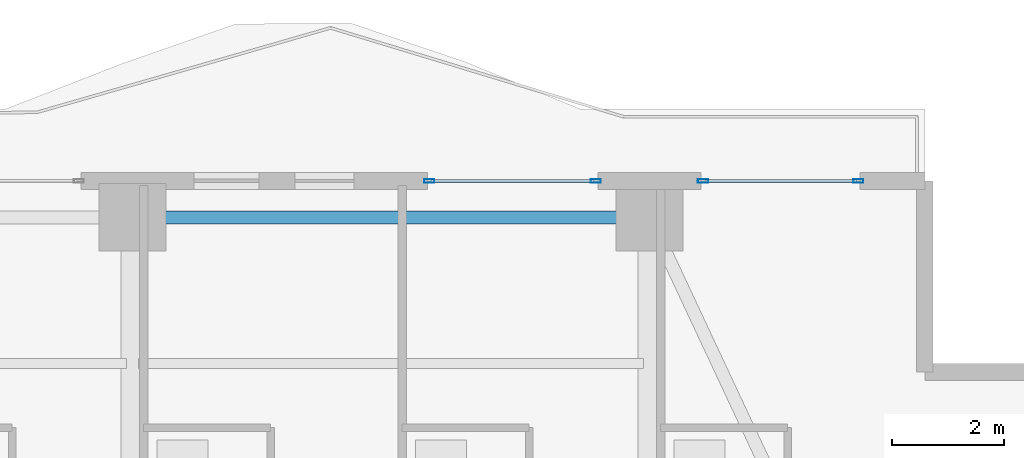
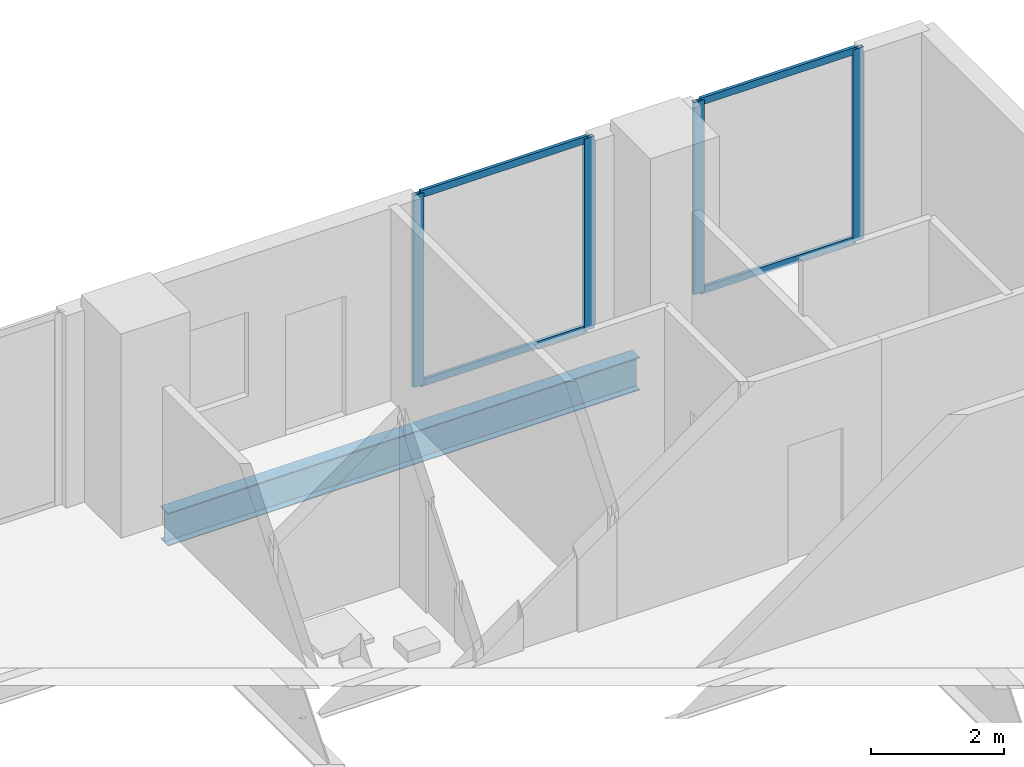
# One storey, part 22 of 32: 8 members, 1 beam, 2 elements without a shape of their own.
"""IFC4 building model written with IfcOpenShell, lengths in metres."""

import ifcopenshell
import ifcopenshell.guid

model = None  # the IFC model being written
_history = None  # IfcOwnerHistory: only IFC2X3 demands one
_inside = {}  # id of a spatial element -> (the spatial element, [elements in it])
_under = {}  # id of a project, library or spatial element -> (it, [spatial elements below it])
_declared = {}  # id of a project -> (the project, [libraries it declares])
_typed = {}  # id of a type object -> (the type object, [elements of that type])
_made_of = {}  # id of a material, layer set ... -> (it, [elements and type objects made of it])


def new_model(schema):
    """Start an empty IFC model of exactly this schema.

    Asked for "IFC4X3", IfcOpenShell would pick the latest addendum, in which some entities
    have other attributes; the version numbers below select the first issue.
    IFC2X3 requires an IfcOwnerHistory on every rooted entity: one is made here for all.
    """
    global model, _history
    if schema == "IFC4X3":
        model = ifcopenshell.file(schema_version=(4, 3, 0, 0))
    else:
        model = ifcopenshell.file(schema=schema)
    _inside.clear()
    _under.clear()
    _declared.clear()
    _typed.clear()
    _made_of.clear()
    _history = None
    if model.schema == "IFC2X3":
        org = make("IfcOrganization", Name="unknown")
        user = make(
            "IfcPersonAndOrganization",
            ThePerson=make("IfcPerson", FamilyName="unknown"),
            TheOrganization=org,
        )
        app = make(
            "IfcApplication",
            ApplicationDeveloper=org,
            Version="unknown",
            ApplicationFullName="unknown",
            ApplicationIdentifier="unknown",
        )
        _history = make(
            "IfcOwnerHistory",
            OwningUser=user,
            OwningApplication=app,
            ChangeAction="ADDED",
            CreationDate=0,
        )
    return model


def make(cls, **values):
    """One entity of the class cls with the attributes given. An attribute that is None is left unset."""
    return model.create_entity(
        cls, **{name: value for name, value in values.items() if value is not None}
    )


def rooted(cls, **values):
    """An entity with a GlobalId (a new one), such as an element, a storey or a relation."""
    return make(cls, GlobalId=ifcopenshell.guid.new(), OwnerHistory=_history, **values)


def si_unit(unit_type, name, prefix=None):
    """IfcSIUnit, for example si_unit("LENGTHUNIT", "METRE", prefix="MILLI")."""
    return make("IfcSIUnit", UnitType=unit_type, Prefix=prefix, Name=name)


def assignment(units):
    """IfcUnitAssignment: the units of a project."""
    return None if units is None else make("IfcUnitAssignment", Units=units)


def point(xyz):
    """IfcCartesianPoint."""
    return None if xyz is None else make("IfcCartesianPoint", Coordinates=xyz)


def direction(xyz):
    """IfcDirection."""
    return None if xyz is None else make("IfcDirection", DirectionRatios=xyz)


def frame(location, z_axis=None, x_axis=None):
    """IfcAxis2Placement3D, a coordinate frame: its origin and axes. An axis left out is left unset."""
    return make(
        "IfcAxis2Placement3D",
        Location=point(location),
        Axis=direction(z_axis),
        RefDirection=direction(x_axis),
    )


def frame_2d(location, x_axis=None):
    """IfcAxis2Placement2D, a coordinate frame in the plane: its origin and x axis."""
    return make(
        "IfcAxis2Placement2D", Location=point(location), RefDirection=direction(x_axis)
    )


def origin():
    """The frame at (0, 0, 0) with its axes left unset."""
    return frame((0.0, 0.0, 0.0))


def origin_2d():
    """The frame at (0, 0) in the plane with its x axis left unset."""
    return frame_2d((0.0, 0.0))


def place(relative_to, where):
    """IfcLocalPlacement: puts the frame where relative to a parent placement (None: the world)."""
    return make(
        "IfcLocalPlacement", PlacementRelTo=relative_to, RelativePlacement=where
    )


def context(
    kind, dimensions, precision=None, world=None, true_north=None, identifier=None
):
    """IfcGeometricRepresentationContext, for example the 3D "Model" context."""
    return make(
        "IfcGeometricRepresentationContext",
        ContextIdentifier=identifier,
        ContextType=kind,
        CoordinateSpaceDimension=dimensions,
        Precision=precision,
        WorldCoordinateSystem=world,
        TrueNorth=true_north,
    )


def subcontext(parent, identifier, kind, view, scale=None):
    """IfcGeometricRepresentationSubContext, for example "Body" below "Model"."""
    return make(
        "IfcGeometricRepresentationSubContext",
        ContextIdentifier=identifier,
        ContextType=kind,
        ParentContext=parent,
        TargetScale=scale,
        TargetView=view,
    )


def project(units=None, contexts=None):
    """IfcProject with its units and contexts."""
    return rooted(
        "IfcProject",
        Name="project",
        RepresentationContexts=contexts,
        UnitsInContext=assignment(units),
    )


def spatial(cls, under=None, at=None, **own):
    """A site, building, storey or space (cls), placed at a placement, below another one or the project."""
    s = rooted(cls, ObjectPlacement=at, **own)
    if under is not None:
        _under.setdefault(under.id(), (under, []))[1].append(s)
    return s


def profile(cls, at=None, kind="AREA", **sizes):
    """A parametric profile (cls). Its sizes go by their IFC names, for example OverallWidth=200.0."""
    return make(cls, ProfileType=kind, Position=at, **sizes)


def hollow_rectangle(**sizes):
    """IfcRectangleHollowProfileDef."""
    return profile("IfcRectangleHollowProfileDef", **sizes)


def i_section(**sizes):
    """IfcIShapeProfileDef."""
    return profile("IfcIShapeProfileDef", **sizes)


def extrude(swept, where, along, depth):
    """IfcExtrudedAreaSolid: the profile swept, set in the frame where, extruded along a direction by depth."""
    return make(
        "IfcExtrudedAreaSolid",
        SweptArea=swept,
        Position=where,
        ExtrudedDirection=direction(along),
        Depth=depth,
    )


def shape(context_of_items, identifier, shape_type, items):
    """IfcShapeRepresentation: the items that make up one representation, for example the "Body"."""
    return make(
        "IfcShapeRepresentation",
        ContextOfItems=context_of_items,
        RepresentationIdentifier=identifier,
        RepresentationType=shape_type,
        Items=items,
    )


def material(Name=None, Category=None):
    """IfcMaterial."""
    return make("IfcMaterial", Name=Name, Category=Category)


def layer(
    of_material, thickness, ventilated=None, Name=None, Category=None, Priority=None
):
    """IfcMaterialLayer: one layer of a wall or slab, of a material (None: an air gap)."""
    return make(
        "IfcMaterialLayer",
        Material=of_material,
        LayerThickness=thickness,
        IsVentilated=ventilated,
        Name=Name,
        Category=Category,
        Priority=Priority,
    )


def layer_set(layers, Name=None):
    """IfcMaterialLayerSet."""
    return make("IfcMaterialLayerSet", MaterialLayers=layers, LayerSetName=Name)


def material_profile(
    of_material, cross_section, Name=None, Category=None, Priority=None
):
    """IfcMaterialProfile: a cross section and its material."""
    return make(
        "IfcMaterialProfile",
        Name=Name,
        Material=of_material,
        Profile=cross_section,
        Priority=Priority,
        Category=Category,
    )


def profile_set(profiles, Name=None, composite=None):
    """IfcMaterialProfileSet."""
    return make(
        "IfcMaterialProfileSet",
        Name=Name,
        MaterialProfiles=profiles,
        CompositeProfile=composite,
    )


def made_of(thing, what):
    """Note that an element or type object is made of a material, layer set ...; save() writes the relation."""
    if what is not None:
        _made_of.setdefault(what.id(), (what, []))[1].append(thing)
    return thing


def type_object(cls, material=None, **own):
    """A type object (cls), such as IfcWallType, which elements share."""
    return made_of(rooted(cls, **own), material)


def element(
    cls,
    number,
    at=None,
    inside=None,
    cuts=None,
    type_object=None,
    material=None,
    context=None,
    identifier="Body",
    shape_type=None,
    held_by="IfcProductDefinitionShape",
    body=None,
    shapes=None,
    **own,
):
    """One element of the class cls, such as IfcWall. Its Tag is "e" and its number.

    at: its placement. inside: the storey or other place that contains it. cuts: it is an
    opening in that element (IfcRelVoidsElement). A single representation is given by context,
    identifier, shape_type and body (its items); several are given by shapes. held_by: the class
    of the entity that holds the representations. save() writes the other relations.
    """
    e = rooted(cls, Tag="e%d" % number, ObjectPlacement=at, **own)
    if body is not None:
        shapes = [shape(context, identifier, shape_type, body)]
    if shapes is not None:
        e.Representation = make(held_by, Representations=shapes)
    if inside is not None:
        _inside.setdefault(inside.id(), (inside, []))[1].append(e)
    if cuts is not None:
        rooted(
            "IfcRelVoidsElement", RelatingBuildingElement=cuts, RelatedOpeningElement=e
        )
    if type_object is not None:
        _typed.setdefault(type_object.id(), (type_object, []))[1].append(e)
    return made_of(e, material)


def aggregate(whole, parts):
    """IfcRelAggregates: a whole, such as a stair, and the parts it consists of."""
    return rooted("IfcRelAggregates", RelatingObject=whole, RelatedObjects=parts)


def save(model, path):
    """Write the relations noted so far, then the file.

    IfcRelAggregates (storeys below a building ...), IfcRelContainedInSpatialStructure (elements
    in a storey), IfcRelDefinesByType, IfcRelAssociatesMaterial and IfcRelDeclares: one each for
    every whole, place, type object, material and project.
    """
    for whole, parts in _under.values():
        aggregate(whole, parts)
    for where, things in _inside.values():
        rooted(
            "IfcRelContainedInSpatialStructure",
            RelatedElements=things,
            RelatingStructure=where,
        )
    for kind, things in _typed.values():
        rooted("IfcRelDefinesByType", RelatedObjects=things, RelatingType=kind)
    for what, things in _made_of.values():
        rooted("IfcRelAssociatesMaterial", RelatedObjects=things, RelatingMaterial=what)
    for by, libraries in _declared.values():
        rooted("IfcRelDeclares", RelatingContext=by, RelatedDefinitions=libraries)
    model.write(path)


model = new_model("IFC4")

# Units and contexts
model_context = context("Model", 3, precision=1e-05, world=origin(), true_north=direction((0.0, 1.0)))
body_context = subcontext(model_context, "Body", "Model", "MODEL_VIEW")
ifc_project = project(units=[si_unit("LENGTHUNIT", "METRE"), si_unit("AREAUNIT", "SQUARE_METRE"), si_unit("VOLUMEUNIT", "CUBIC_METRE"), si_unit("PLANEANGLEUNIT", "RADIAN"), si_unit("MASSUNIT", "GRAM", prefix="KILO")], contexts=[model_context])

# Site, building, storey
site_placement = place(None, origin())
site = spatial("IfcSite", under=ifc_project, at=site_placement, CompositionType="ELEMENT")
building_placement = place(site_placement, origin())
building = spatial("IfcBuilding", under=site, at=building_placement, Name="Zuhayl Quay Hotel", CompositionType="ELEMENT")
storey_placement = place(building_placement, frame((0.0, 0.0, 226.14990234375)))
storey = spatial("IfcBuildingStorey", under=building, at=storey_placement, Name="L57", CompositionType="ELEMENT", Elevation=226.14990234375)

# Beam
ifc_material_1 = material(Name="Steel ASTM A992 Grade 50", Category="steel")
ifc_material_profile_1 = material_profile(ifc_material_1, i_section(OverallWidth=0.22802734375, OverallDepth=0.60693359375, WebThickness=0.01123046875, FlangeThickness=0.017333984375, at=origin_2d()), Name="W24X76")
ifc_profile_set_1 = profile_set([ifc_material_profile_1], Name="Steel ASTM A992 Grade 50")
beam_type = type_object("IfcBeamType", Name="BM_B3_W24X76", PredefinedType="BEAM", material=ifc_profile_set_1)
beam_placement = place(storey_placement, frame((13.300048828125, 32.949951171875, -0.5234375), z_axis=(-1.0, 0.0, 0.0), x_axis=(0.0, -1.0, 0.0)))
element("IfcBeam", 1, at=beam_placement, inside=storey, type_object=beam_type, Name="L57 Floor Beam RG_L57_07", PredefinedType="BEAM", context=body_context, shape_type="SweptSolid", body=[
    extrude(i_section(OverallWidth=0.22802734375, OverallDepth=0.60693359375, WebThickness=0.01123046875, FlangeThickness=0.017333984375, at=origin_2d()), origin(), (0.0, 0.0, 1.0), 8.199951171875),
])

# Curtain wall, members
ifc_material_2 = material(Name="Anodised Aluminium 6063-T6", Category="aluminium")
ifc_layer = layer(ifc_material_2, 0.175048828125, Name="Anodised Aluminium 6063-T6", Category="aluminium")
ifc_layer_set = layer_set([ifc_layer], Name="Anodised Aluminium 6063-T6")
curtain_wall_type = type_object("IfcCurtainWallType", Name="CW_SYS_Z3", PredefinedType="USERDEFINED", material=ifc_layer_set)
curtain_wall_1_placement = place(storey_placement, origin())
curtain_wall_1 = element("IfcCurtainWall", 2, at=curtain_wall_1_placement, inside=storey, type_object=curtain_wall_type, Name="L57 Curtain Wall ENV_L57_N_CW5", ObjectType="UNITISED CURTAIN WALL", PredefinedType="USERDEFINED")
ifc_material_3 = material(Name="Black-anodised aluminium 6063-T6", Category="aluminium")
ifc_material_profile_2 = material_profile(ifc_material_3, hollow_rectangle(XDim=0.06494140625, YDim=0.179931640625, WallThickness=0.00341796875, at=origin_2d()), Name="ALU180X65")
ifc_profile_set_2 = profile_set([ifc_material_profile_2], Name="Black-anodised aluminium 6063-T6")
member_type_1 = type_object("IfcMemberType", Name="MB_CW_MUL_180", PredefinedType="MULLION", material=ifc_profile_set_2)
member_1_placement = place(storey_placement, frame((9.882568359375, 33.60009765625, 0.0), z_axis=(0.0, 0.0, 1.0), x_axis=(0.0, 1.0, 0.0)))
member_1 = element("IfcMember", 3, at=member_1_placement, type_object=member_type_1, Name="CW-Z3 mullion 1", PredefinedType="MULLION", context=body_context, shape_type="SweptSolid", body=[
    extrude(hollow_rectangle(XDim=0.06494140625, YDim=0.179931640625, WallThickness=0.00341796875, at=origin_2d()), origin(), (0.0, 0.0, 1.0), 3.530029296875),
])
member_2_placement = place(storey_placement, frame((12.847412109375, 33.60009765625, 0.0), z_axis=(0.0, 0.0, 1.0), x_axis=(0.0, 1.0, 0.0)))
member_2 = element("IfcMember", 4, at=member_2_placement, type_object=member_type_1, Name="CW-Z3 mullion 2", PredefinedType="MULLION", context=body_context, shape_type="SweptSolid", body=[
    extrude(hollow_rectangle(XDim=0.06494140625, YDim=0.179931640625, WallThickness=0.00341796875, at=origin_2d()), origin(), (0.0, 0.0, 1.0), 3.530029296875),
])

curtain_wall_2_placement = place(storey_placement, origin())
curtain_wall_2 = element("IfcCurtainWall", 5, at=curtain_wall_2_placement, inside=storey, type_object=curtain_wall_type, Name="L57 Curtain Wall ENV_L57_N_CW6", ObjectType="UNITISED CURTAIN WALL", PredefinedType="USERDEFINED")
member_3_placement = place(storey_placement, frame((14.75244140625, 33.60009765625, 0.0), z_axis=(0.0, 0.0, 1.0), x_axis=(0.0, 1.0, 0.0)))
member_3 = element("IfcMember", 6, at=member_3_placement, type_object=member_type_1, Name="CW-Z3 mullion 1", PredefinedType="MULLION", context=body_context, shape_type="SweptSolid", body=[
    extrude(hollow_rectangle(XDim=0.06494140625, YDim=0.179931640625, WallThickness=0.00341796875, at=origin_2d()), origin(), (0.0, 0.0, 1.0), 3.530029296875),
])
member_4_placement = place(storey_placement, frame((17.517578125, 33.60009765625, 0.0), z_axis=(0.0, 0.0, 1.0), x_axis=(0.0, 1.0, 0.0)))
member_4 = element("IfcMember", 7, at=member_4_placement, type_object=member_type_1, Name="CW-Z3 mullion 2", PredefinedType="MULLION", context=body_context, shape_type="SweptSolid", body=[
    extrude(hollow_rectangle(XDim=0.06494140625, YDim=0.179931640625, WallThickness=0.00341796875, at=origin_2d()), origin(), (0.0, 0.0, 1.0), 3.530029296875),
])

# Member
ifc_material_profile_3 = material_profile(ifc_material_3, hollow_rectangle(XDim=0.054931640625, YDim=0.1298828125, WallThickness=0.0029296875, at=origin_2d()), Name="ALU130X55")
ifc_profile_set_3 = profile_set([ifc_material_profile_3], Name="Black-anodised aluminium 6063-T6")
member_type_2 = type_object("IfcMemberType", Name="MB_CW_TRN_130", PredefinedType="USERDEFINED", material=ifc_profile_set_3)
member_5_placement = place(storey_placement, frame((9.9150390625, 33.60009765625, 0.027587890625), z_axis=(1.0, 0.0, 0.0), x_axis=(0.0, 1.0, 0.0)))
member_5 = element("IfcMember", 8, at=member_5_placement, type_object=member_type_2, Name="CW-Z3 transom 1.1", ObjectType="TRANSOM", PredefinedType="USERDEFINED", context=body_context, shape_type="SweptSolid", body=[
    extrude(hollow_rectangle(XDim=0.054931640625, YDim=0.1298828125, WallThickness=0.0029296875, at=origin_2d()), origin(), (0.0, 0.0, 1.0), 2.89990234375),
])

member_6_placement = place(storey_placement, frame((9.9150390625, 33.60009765625, 3.502685546875), z_axis=(1.0, 0.0, 0.0), x_axis=(0.0, 1.0, 0.0)))
member_6 = element("IfcMember", 9, at=member_6_placement, type_object=member_type_2, Name="CW-Z3 transom 1.2", ObjectType="TRANSOM", PredefinedType="USERDEFINED", context=body_context, shape_type="SweptSolid", body=[
    extrude(hollow_rectangle(XDim=0.054931640625, YDim=0.1298828125, WallThickness=0.0029296875, at=origin_2d()), origin(), (0.0, 0.0, 1.0), 2.89990234375),
])

aggregate(curtain_wall_1, [member_1, member_2, member_5, member_6])

member_7_placement = place(storey_placement, frame((14.784912109375, 33.60009765625, 0.027587890625), z_axis=(1.0, 0.0, 0.0), x_axis=(0.0, 1.0, 0.0)))
member_7 = element("IfcMember", 10, at=member_7_placement, type_object=member_type_2, Name="CW-Z3 transom 1.1", ObjectType="TRANSOM", PredefinedType="USERDEFINED", context=body_context, shape_type="SweptSolid", body=[
    extrude(hollow_rectangle(XDim=0.054931640625, YDim=0.1298828125, WallThickness=0.0029296875, at=origin_2d()), origin(), (0.0, 0.0, 1.0), 2.7001953125),
])

member_8_placement = place(storey_placement, frame((14.784912109375, 33.60009765625, 3.502685546875), z_axis=(1.0, 0.0, 0.0), x_axis=(0.0, 1.0, 0.0)))
member_8 = element("IfcMember", 11, at=member_8_placement, type_object=member_type_2, Name="CW-Z3 transom 1.2", ObjectType="TRANSOM", PredefinedType="USERDEFINED", context=body_context, shape_type="SweptSolid", body=[
    extrude(hollow_rectangle(XDim=0.054931640625, YDim=0.1298828125, WallThickness=0.0029296875, at=origin_2d()), origin(), (0.0, 0.0, 1.0), 2.7001953125),
])

aggregate(curtain_wall_2, [member_3, member_4, member_7, member_8])

save(model, "model.ifc")
